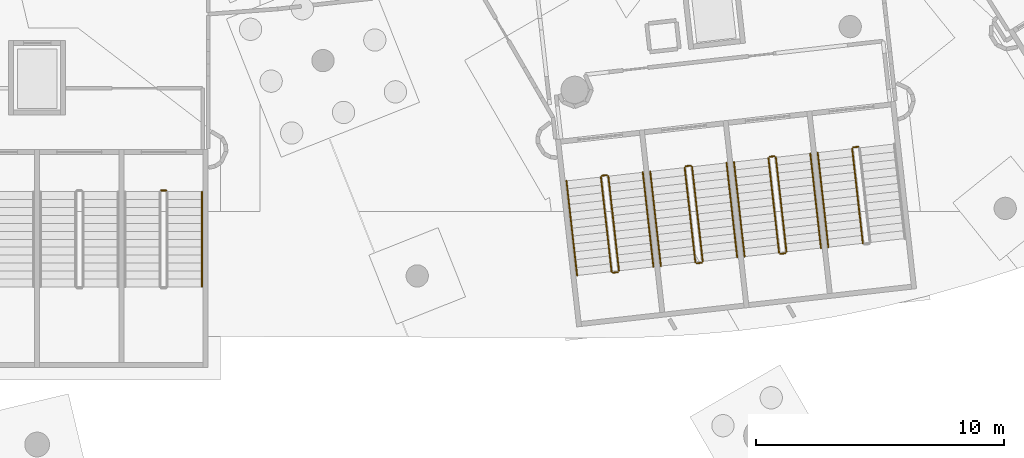
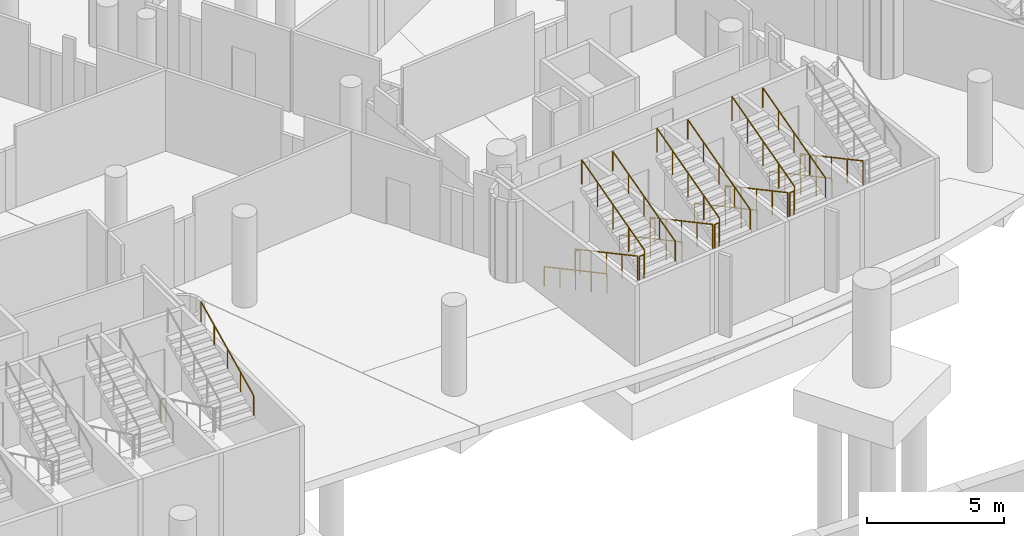
# One storey, part 119 of 142: 23 railings.
"""IFC4 building model written with IfcOpenShell, lengths in metres."""

from ifc_helpers import new_model, si_unit, direction, frame, origin, origin_2d, place, context, subcontext, project, spatial, circle, extrude, material, type_object, element, save


model = new_model("IFC4")

# Units and contexts
model_context = context("Model", 3, precision=1e-05, world=origin(), true_north=direction((0.0, 1.0)))
body_context = subcontext(model_context, "Body", "Model", "MODEL_VIEW")
ifc_project = project(units=[si_unit("LENGTHUNIT", "METRE"), si_unit("AREAUNIT", "SQUARE_METRE"), si_unit("VOLUMEUNIT", "CUBIC_METRE"), si_unit("PLANEANGLEUNIT", "RADIAN"), si_unit("MASSUNIT", "GRAM", prefix="KILO")], contexts=[model_context])

# Site, building, storey
site_placement = place(None, origin())
site = spatial("IfcSite", under=ifc_project, at=site_placement, CompositionType="ELEMENT")
building_placement = place(site_placement, origin())
building = spatial("IfcBuilding", under=site, at=building_placement, Name="Meseta Stadium", CompositionType="ELEMENT")
storey_placement = place(building_placement, frame((0.0, 0.0, -4.0)))
storey = spatial("IfcBuildingStorey", under=building, at=storey_placement, Name="B1", CompositionType="ELEMENT", Elevation=-4.0)

# Railings
ifc_material_1 = material(Name="Steel S355", Category="steel")
railing_type_1 = type_object("IfcRailingType", Name="Stair guard 1100", PredefinedType="GUARDRAIL", material=ifc_material_1)
railing_1_placement = place(storey_placement, frame((28.0, -95.14990234375, 0.0)))
element("IfcRailing", 1, at=railing_1_placement, inside=storey, type_object=railing_type_1, Name="ST100 B1 guard 4", PredefinedType="GUARDRAIL", context=body_context, shape_type="SweptSolid", body=[
    extrude(circle(Radius=0.02392578125, at=origin_2d()), frame((0.0, 0.0, 1.076171875), z_axis=(1.0, 0.0, 0.0), x_axis=(0.0, 1.0, 0.0)), (0.0, 0.0, 1.0), 0.199951171875),
    extrude(circle(Radius=0.02099609375, at=origin_2d()), origin(), (0.0, 0.0, 1.0), 1.052001953125),
    extrude(circle(Radius=0.02099609375, at=origin_2d()), frame((0.199951171875, 0.0, 0.0)), (0.0, 0.0, 1.0), 1.052001953125),
])
railing_2_placement = place(storey_placement, frame((45.742919921875, -94.609375, 0.15380859375)))
element("IfcRailing", 2, at=railing_2_placement, inside=storey, type_object=railing_type_1, Name="ST101 B1 guard 1", PredefinedType="GUARDRAIL", context=body_context, shape_type="SweptSolid", body=[
    extrude(circle(Radius=0.02392578125, at=origin_2d()), frame((0.0, 0.0, 1.076171875), z_axis=(0.100965652934, -0.895568779631, 0.433315702321), x_axis=(0.993704888817, 0.112029433367, 0.0)), (0.0, 0.0, 1.0), 4.260498046875),
    extrude(circle(Radius=0.02099609375, at=origin_2d()), origin(), (0.0, 0.0, 1.0), 1.052001953125),
    extrude(circle(Radius=0.02099609375, at=origin_2d()), frame((0.107421875, -0.953857421875, 0.46142578125)), (0.0, 0.0, 1.0), 1.052001953125),
    extrude(circle(Radius=0.02099609375, at=origin_2d()), frame((0.215087890625, -1.90771484375, 0.923095703125)), (0.0, 0.0, 1.0), 1.052001953125),
    extrude(circle(Radius=0.02099609375, at=origin_2d()), frame((0.32275390625, -2.86181640625, 1.384765625)), (0.0, 0.0, 1.0), 1.052001953125),
    extrude(circle(Radius=0.02099609375, at=origin_2d()), frame((0.43017578125, -3.815673828125, 1.84619140625)), (0.0, 0.0, 1.0), 1.052001953125),
])
railing_3_placement = place(storey_placement, frame((46.228271484375, -98.46923828125, 2.0)))
element("IfcRailing", 3, at=railing_3_placement, inside=storey, type_object=railing_type_1, Name="ST101 B1 guard 2", PredefinedType="GUARDRAIL", context=body_context, shape_type="SweptSolid", body=[
    extrude(circle(Radius=0.02392578125, at=origin_2d()), frame((0.0, 0.0, 1.076171875), z_axis=(0.993673547442, 0.112307083986, 0.0), x_axis=(-0.112307083986, 0.993673547442, 0.0)), (0.0, 0.0, 1.0), 0.199951171875),
    extrude(circle(Radius=0.02099609375, at=origin_2d()), origin(), (0.0, 0.0, 1.0), 1.052001953125),
    extrude(circle(Radius=0.02099609375, at=origin_2d()), frame((0.19873046875, 0.0224609375, 0.0)), (0.0, 0.0, 1.0), 1.052001953125),
])
railing_4_placement = place(storey_placement, frame((46.47119140625, -98.3916015625, 2.15380859375)))
element("IfcRailing", 4, at=railing_4_placement, inside=storey, type_object=railing_type_1, Name="ST101 B1 guard 3", PredefinedType="GUARDRAIL", context=body_context, shape_type="SweptSolid", body=[
    extrude(circle(Radius=0.02392578125, at=origin_2d()), frame((0.0, 0.0, 1.076171875), z_axis=(-0.100903756611, 0.89558530144, 0.433295972456), x_axis=(-0.993712761983, -0.111959576062, 0.0)), (0.0, 0.0, 1.0), 4.2607421875),
    extrude(circle(Radius=0.02099609375, at=origin_2d()), origin(), (0.0, 0.0, 1.0), 1.052001953125),
    extrude(circle(Radius=0.02099609375, at=origin_2d()), frame((-0.107421875, 0.9541015625, 0.46142578125)), (0.0, 0.0, 1.0), 1.052001953125),
    extrude(circle(Radius=0.02099609375, at=origin_2d()), frame((-0.21484375, 1.907958984375, 0.923095703125)), (0.0, 0.0, 1.0), 1.052001953125),
    extrude(circle(Radius=0.02099609375, at=origin_2d()), frame((-0.322509765625, 2.86181640625, 1.384765625)), (0.0, 0.0, 1.0), 1.052001953125),
    extrude(circle(Radius=0.02099609375, at=origin_2d()), frame((-0.429931640625, 3.81591796875, 1.84619140625)), (0.0, 0.0, 1.0), 1.052001953125),
])
railing_5_placement = place(storey_placement, frame((45.787109375, -94.553955078125, 0.0)))
element("IfcRailing", 5, at=railing_5_placement, inside=storey, type_object=railing_type_1, Name="ST101 B1 guard 4", PredefinedType="GUARDRAIL", context=body_context, shape_type="SweptSolid", body=[
    extrude(circle(Radius=0.02392578125, at=origin_2d()), frame((0.0, 0.0, 1.076171875), z_axis=(0.993673547442, 0.112307083986, 0.0), x_axis=(-0.112307083986, 0.993673547442, 0.0)), (0.0, 0.0, 1.0), 0.199951171875),
    extrude(circle(Radius=0.02099609375, at=origin_2d()), origin(), (0.0, 0.0, 1.0), 1.052001953125),
    extrude(circle(Radius=0.02099609375, at=origin_2d()), frame((0.19873046875, 0.0224609375, 0.0)), (0.0, 0.0, 1.0), 1.052001953125),
])
railing_6_placement = place(storey_placement, frame((49.12158203125, -94.228515625, 0.15380859375)))
element("IfcRailing", 6, at=railing_6_placement, inside=storey, type_object=railing_type_1, Name="ST102 B1 guard 1", PredefinedType="GUARDRAIL", context=body_context, shape_type="SweptSolid", body=[
    extrude(circle(Radius=0.02392578125, at=origin_2d()), frame((0.0, 0.0, 1.076171875), z_axis=(0.100903756611, -0.89558530144, 0.433295972456), x_axis=(0.993712761983, 0.111959576062, 0.0)), (0.0, 0.0, 1.0), 4.2607421875),
    extrude(circle(Radius=0.02099609375, at=origin_2d()), origin(), (0.0, 0.0, 1.0), 1.052001953125),
    extrude(circle(Radius=0.02099609375, at=origin_2d()), frame((0.107421875, -0.9541015625, 0.46142578125)), (0.0, 0.0, 1.0), 1.052001953125),
    extrude(circle(Radius=0.02099609375, at=origin_2d()), frame((0.21484375, -1.907958984375, 0.923095703125)), (0.0, 0.0, 1.0), 1.052001953125),
    extrude(circle(Radius=0.02099609375, at=origin_2d()), frame((0.322509765625, -2.86181640625, 1.384765625)), (0.0, 0.0, 1.0), 1.052001953125),
    extrude(circle(Radius=0.02099609375, at=origin_2d()), frame((0.429931640625, -3.81591796875, 1.84619140625)), (0.0, 0.0, 1.0), 1.052001953125),
])
railing_7_placement = place(storey_placement, frame((49.60693359375, -98.088623046875, 2.0)))
element("IfcRailing", 7, at=railing_7_placement, inside=storey, type_object=railing_type_1, Name="ST102 B1 guard 2", PredefinedType="GUARDRAIL", context=body_context, shape_type="SweptSolid", body=[
    extrude(circle(Radius=0.02392578125, at=origin_2d()), frame((0.0, 0.0, 1.076171875), z_axis=(0.993673547442, 0.112307083986, 0.0), x_axis=(-0.112307083986, 0.993673547442, 0.0)), (0.0, 0.0, 1.0), 0.199951171875),
    extrude(circle(Radius=0.02099609375, at=origin_2d()), origin(), (0.0, 0.0, 1.0), 1.052001953125),
    extrude(circle(Radius=0.02099609375, at=origin_2d()), frame((0.19873046875, 0.0224609375, 0.0)), (0.0, 0.0, 1.0), 1.052001953125),
])
railing_8_placement = place(storey_placement, frame((49.849609375, -98.0107421875, 2.15380859375)))
element("IfcRailing", 8, at=railing_8_placement, inside=storey, type_object=railing_type_1, Name="ST102 B1 guard 3", PredefinedType="GUARDRAIL", context=body_context, shape_type="SweptSolid", body=[
    extrude(circle(Radius=0.02392578125, at=origin_2d()), frame((0.0, 0.0, 1.076171875), z_axis=(-0.100908934847, 0.895573959525, 0.433318208582), x_axis=(-0.99371196497, -0.111966649838, 0.0)), (0.0, 0.0, 1.0), 4.260498046875),
    extrude(circle(Radius=0.02099609375, at=origin_2d()), origin(), (0.0, 0.0, 1.0), 1.052001953125),
    extrude(circle(Radius=0.02099609375, at=origin_2d()), frame((-0.107421875, 0.953857421875, 0.46142578125)), (0.0, 0.0, 1.0), 1.052001953125),
    extrude(circle(Radius=0.02099609375, at=origin_2d()), frame((-0.21484375, 1.90771484375, 0.923095703125)), (0.0, 0.0, 1.0), 1.052001953125),
    extrude(circle(Radius=0.02099609375, at=origin_2d()), frame((-0.322509765625, 2.86181640625, 1.384765625)), (0.0, 0.0, 1.0), 1.052001953125),
    extrude(circle(Radius=0.02099609375, at=origin_2d()), frame((-0.429931640625, 3.815673828125, 1.84619140625)), (0.0, 0.0, 1.0), 1.052001953125),
])
railing_9_placement = place(storey_placement, frame((49.165771484375, -94.17333984375, 0.0)))
element("IfcRailing", 9, at=railing_9_placement, inside=storey, type_object=railing_type_1, Name="ST102 B1 guard 4", PredefinedType="GUARDRAIL", context=body_context, shape_type="SweptSolid", body=[
    extrude(circle(Radius=0.02392578125, at=origin_2d()), frame((0.0, 0.0, 1.076171875), z_axis=(0.993673547442, 0.112307083986, 0.0), x_axis=(-0.112307083986, 0.993673547442, 0.0)), (0.0, 0.0, 1.0), 0.199951171875),
    extrude(circle(Radius=0.02099609375, at=origin_2d()), origin(), (0.0, 0.0, 1.0), 1.052001953125),
    extrude(circle(Radius=0.02099609375, at=origin_2d()), frame((0.19873046875, 0.0224609375, 0.0)), (0.0, 0.0, 1.0), 1.052001953125),
])
railing_10_placement = place(storey_placement, frame((52.500244140625, -93.847900390625, 0.15380859375)))
element("IfcRailing", 10, at=railing_10_placement, inside=storey, type_object=railing_type_1, Name="ST103 B1 guard 1", PredefinedType="GUARDRAIL", context=body_context, shape_type="SweptSolid", body=[
    extrude(circle(Radius=0.02392578125, at=origin_2d()), frame((0.0, 0.0, 1.076171875), z_axis=(0.100903756611, -0.89558530144, 0.433295972456), x_axis=(0.993712761983, 0.111959576062, 0.0)), (0.0, 0.0, 1.0), 4.2607421875),
    extrude(circle(Radius=0.02099609375, at=origin_2d()), origin(), (0.0, 0.0, 1.0), 1.052001953125),
    extrude(circle(Radius=0.02099609375, at=origin_2d()), frame((0.107421875, -0.9541015625, 0.46142578125)), (0.0, 0.0, 1.0), 1.052001953125),
    extrude(circle(Radius=0.02099609375, at=origin_2d()), frame((0.21484375, -1.907958984375, 0.923095703125)), (0.0, 0.0, 1.0), 1.052001953125),
    extrude(circle(Radius=0.02099609375, at=origin_2d()), frame((0.322509765625, -2.86181640625, 1.384765625)), (0.0, 0.0, 1.0), 1.052001953125),
    extrude(circle(Radius=0.02099609375, at=origin_2d()), frame((0.429931640625, -3.81591796875, 1.84619140625)), (0.0, 0.0, 1.0), 1.052001953125),
])
railing_11_placement = place(storey_placement, frame((52.985595703125, -97.707763671875, 2.0)))
element("IfcRailing", 11, at=railing_11_placement, inside=storey, type_object=railing_type_1, Name="ST103 B1 guard 2", PredefinedType="GUARDRAIL", context=body_context, shape_type="SweptSolid", body=[
    extrude(circle(Radius=0.02392578125, at=origin_2d()), frame((0.0, 0.0, 1.076171875), z_axis=(0.993809063983, 0.111101504696, 0.0), x_axis=(-0.111101504696, 0.993809063983, 0.0)), (0.0, 0.0, 1.0), 0.199951171875),
    extrude(circle(Radius=0.02099609375, at=origin_2d()), origin(), (0.0, 0.0, 1.0), 1.052001953125),
    extrude(circle(Radius=0.02099609375, at=origin_2d()), frame((0.19873046875, 0.022216796875, 0.0)), (0.0, 0.0, 1.0), 1.052001953125),
])
railing_12_placement = place(storey_placement, frame((53.228271484375, -97.630126953125, 2.15380859375)))
element("IfcRailing", 12, at=railing_12_placement, inside=storey, type_object=railing_type_1, Name="ST103 B1 guard 3", PredefinedType="GUARDRAIL", context=body_context, shape_type="SweptSolid", body=[
    extrude(circle(Radius=0.02392578125, at=origin_2d()), frame((0.0, 0.0, 1.076171875), z_axis=(-0.100903756611, 0.89558530144, 0.433295972456), x_axis=(-0.993712761983, -0.111959576062, 0.0)), (0.0, 0.0, 1.0), 4.2607421875),
    extrude(circle(Radius=0.02099609375, at=origin_2d()), origin(), (0.0, 0.0, 1.0), 1.052001953125),
    extrude(circle(Radius=0.02099609375, at=origin_2d()), frame((-0.107421875, 0.9541015625, 0.46142578125)), (0.0, 0.0, 1.0), 1.052001953125),
    extrude(circle(Radius=0.02099609375, at=origin_2d()), frame((-0.21484375, 1.907958984375, 0.923095703125)), (0.0, 0.0, 1.0), 1.052001953125),
    extrude(circle(Radius=0.02099609375, at=origin_2d()), frame((-0.322509765625, 2.86181640625, 1.384765625)), (0.0, 0.0, 1.0), 1.052001953125),
    extrude(circle(Radius=0.02099609375, at=origin_2d()), frame((-0.429931640625, 3.81591796875, 1.84619140625)), (0.0, 0.0, 1.0), 1.052001953125),
])
railing_13_placement = place(storey_placement, frame((52.54443359375, -93.792724609375, 0.0)))
element("IfcRailing", 13, at=railing_13_placement, inside=storey, type_object=railing_type_1, Name="ST103 B1 guard 4", PredefinedType="GUARDRAIL", context=body_context, shape_type="SweptSolid", body=[
    extrude(circle(Radius=0.02392578125, at=origin_2d()), frame((0.0, 0.0, 1.076171875), z_axis=(0.993673547442, 0.112307083986, 0.0), x_axis=(-0.112307083986, 0.993673547442, 0.0)), (0.0, 0.0, 1.0), 0.199951171875),
    extrude(circle(Radius=0.02099609375, at=origin_2d()), origin(), (0.0, 0.0, 1.0), 1.052001953125),
    extrude(circle(Radius=0.02099609375, at=origin_2d()), frame((0.19873046875, 0.0224609375, 0.0)), (0.0, 0.0, 1.0), 1.052001953125),
])
railing_14_placement = place(storey_placement, frame((55.87890625, -93.46728515625, 0.15380859375)))
element("IfcRailing", 14, at=railing_14_placement, inside=storey, type_object=railing_type_1, Name="ST104 B1 guard 1", PredefinedType="GUARDRAIL", context=body_context, shape_type="SweptSolid", body=[
    extrude(circle(Radius=0.02392578125, at=origin_2d()), frame((0.0, 0.0, 1.076171875), z_axis=(0.100903756611, -0.89558530144, 0.433295972456), x_axis=(0.993712761983, 0.111959576062, 0.0)), (0.0, 0.0, 1.0), 4.2607421875),
    extrude(circle(Radius=0.02099609375, at=origin_2d()), origin(), (0.0, 0.0, 1.0), 1.052001953125),
    extrude(circle(Radius=0.02099609375, at=origin_2d()), frame((0.107421875, -0.9541015625, 0.46142578125)), (0.0, 0.0, 1.0), 1.052001953125),
    extrude(circle(Radius=0.02099609375, at=origin_2d()), frame((0.21484375, -1.907958984375, 0.923095703125)), (0.0, 0.0, 1.0), 1.052001953125),
    extrude(circle(Radius=0.02099609375, at=origin_2d()), frame((0.322509765625, -2.86181640625, 1.384765625)), (0.0, 0.0, 1.0), 1.052001953125),
    extrude(circle(Radius=0.02099609375, at=origin_2d()), frame((0.429931640625, -3.81591796875, 1.84619140625)), (0.0, 0.0, 1.0), 1.052001953125),
])
railing_15_placement = place(storey_placement, frame((55.923095703125, -93.411865234375, 0.0)))
element("IfcRailing", 15, at=railing_15_placement, inside=storey, type_object=railing_type_1, Name="ST104 B1 guard 4", PredefinedType="GUARDRAIL", context=body_context, shape_type="SweptSolid", body=[
    extrude(circle(Radius=0.02392578125, at=origin_2d()), frame((0.0, 0.0, 1.076171875), z_axis=(0.993809063983, 0.111101504696, 0.0), x_axis=(-0.111101504696, 0.993809063983, 0.0)), (0.0, 0.0, 1.0), 0.199951171875),
    extrude(circle(Radius=0.02099609375, at=origin_2d()), origin(), (0.0, 0.0, 1.0), 1.052001953125),
    extrude(circle(Radius=0.02099609375, at=origin_2d()), frame((0.19873046875, 0.022216796875, 0.0)), (0.0, 0.0, 1.0), 1.052001953125),
])
ifc_material_2 = material(Name="Steel S355", Category="steel")
railing_type_2 = type_object("IfcRailingType", Name="Stair handrail 900", PredefinedType="HANDRAIL", material=ifc_material_2)
railing_16_placement = place(storey_placement, frame((29.64990234375, -99.0400390625, 2.15380859375)))
element("IfcRailing", 16, at=railing_16_placement, inside=storey, type_object=railing_type_2, Name="ST100 B1 handrail 2", PredefinedType="HANDRAIL", context=body_context, shape_type="SweptSolid", body=[
    extrude(circle(Radius=0.02392578125, at=origin_2d()), frame((0.0, 0.0, 0.8759765625), z_axis=(0.0, 0.901252854825, 0.433293539843), x_axis=(-1.0, 0.0, 0.0)), (0.0, 0.0, 1.0), 4.2607421875),
    extrude(circle(Radius=0.02099609375, at=origin_2d()), origin(), (0.0, 0.0, 1.0), 0.851806640625),
    extrude(circle(Radius=0.02099609375, at=origin_2d()), frame((0.0, 0.9599609375, 0.46142578125)), (0.0, 0.0, 1.0), 0.851806640625),
    extrude(circle(Radius=0.02099609375, at=origin_2d()), frame((0.0, 1.919921875, 0.923095703125)), (0.0, 0.0, 1.0), 0.851806640625),
    extrude(circle(Radius=0.02099609375, at=origin_2d()), frame((0.0, 2.880126953125, 1.384765625)), (0.0, 0.0, 1.0), 0.851806640625),
    extrude(circle(Radius=0.02099609375, at=origin_2d()), frame((0.0, 3.840087890625, 1.84619140625)), (0.0, 0.0, 1.0), 0.851806640625),
])
railing_17_placement = place(storey_placement, frame((44.351806640625, -94.76611328125, 0.15380859375)))
element("IfcRailing", 17, at=railing_17_placement, inside=storey, type_object=railing_type_2, Name="ST101 B1 handrail 1", PredefinedType="HANDRAIL", context=body_context, shape_type="SweptSolid", body=[
    extrude(circle(Radius=0.02392578125, at=origin_2d()), frame((0.0, 0.0, 0.8759765625), z_axis=(0.100908934847, -0.895573959525, 0.433318208582), x_axis=(0.99371196497, 0.111966649838, 0.0)), (0.0, 0.0, 1.0), 4.260498046875),
    extrude(circle(Radius=0.02099609375, at=origin_2d()), origin(), (0.0, 0.0, 1.0), 0.851806640625),
    extrude(circle(Radius=0.02099609375, at=origin_2d()), frame((0.107421875, -0.953857421875, 0.46142578125)), (0.0, 0.0, 1.0), 0.851806640625),
    extrude(circle(Radius=0.02099609375, at=origin_2d()), frame((0.21484375, -1.90771484375, 0.923095703125)), (0.0, 0.0, 1.0), 0.851806640625),
    extrude(circle(Radius=0.02099609375, at=origin_2d()), frame((0.322509765625, -2.86181640625, 1.384765625)), (0.0, 0.0, 1.0), 0.851806640625),
    extrude(circle(Radius=0.02099609375, at=origin_2d()), frame((0.429931640625, -3.815673828125, 1.84619140625)), (0.0, 0.0, 1.0), 0.851806640625),
])
railing_18_placement = place(storey_placement, frame((47.8623046875, -98.23486328125, 2.15380859375)))
element("IfcRailing", 18, at=railing_18_placement, inside=storey, type_object=railing_type_2, Name="ST101 B1 handrail 2", PredefinedType="HANDRAIL", context=body_context, shape_type="SweptSolid", body=[
    extrude(circle(Radius=0.02392578125, at=origin_2d()), frame((0.0, 0.0, 0.8759765625), z_axis=(-0.100903756611, 0.89558530144, 0.433295972456), x_axis=(-0.993712761983, -0.111959576062, 0.0)), (0.0, 0.0, 1.0), 4.2607421875),
    extrude(circle(Radius=0.02099609375, at=origin_2d()), origin(), (0.0, 0.0, 1.0), 0.851806640625),
    extrude(circle(Radius=0.02099609375, at=origin_2d()), frame((-0.107421875, 0.9541015625, 0.46142578125)), (0.0, 0.0, 1.0), 0.851806640625),
    extrude(circle(Radius=0.02099609375, at=origin_2d()), frame((-0.21484375, 1.907958984375, 0.923095703125)), (0.0, 0.0, 1.0), 0.851806640625),
    extrude(circle(Radius=0.02099609375, at=origin_2d()), frame((-0.322509765625, 2.86181640625, 1.384765625)), (0.0, 0.0, 1.0), 0.851806640625),
    extrude(circle(Radius=0.02099609375, at=origin_2d()), frame((-0.429931640625, 3.81591796875, 1.84619140625)), (0.0, 0.0, 1.0), 0.851806640625),
])
railing_19_placement = place(storey_placement, frame((47.73046875, -94.38525390625, 0.15380859375)))
element("IfcRailing", 19, at=railing_19_placement, inside=storey, type_object=railing_type_2, Name="ST102 B1 handrail 1", PredefinedType="HANDRAIL", context=body_context, shape_type="SweptSolid", body=[
    extrude(circle(Radius=0.02392578125, at=origin_2d()), frame((0.0, 0.0, 0.8759765625), z_axis=(0.100903756611, -0.89558530144, 0.433295972456), x_axis=(0.993712761983, 0.111959576062, 0.0)), (0.0, 0.0, 1.0), 4.2607421875),
    extrude(circle(Radius=0.02099609375, at=origin_2d()), origin(), (0.0, 0.0, 1.0), 0.851806640625),
    extrude(circle(Radius=0.02099609375, at=origin_2d()), frame((0.107421875, -0.9541015625, 0.46142578125)), (0.0, 0.0, 1.0), 0.851806640625),
    extrude(circle(Radius=0.02099609375, at=origin_2d()), frame((0.21484375, -1.907958984375, 0.923095703125)), (0.0, 0.0, 1.0), 0.851806640625),
    extrude(circle(Radius=0.02099609375, at=origin_2d()), frame((0.322509765625, -2.86181640625, 1.384765625)), (0.0, 0.0, 1.0), 0.851806640625),
    extrude(circle(Radius=0.02099609375, at=origin_2d()), frame((0.429931640625, -3.81591796875, 1.84619140625)), (0.0, 0.0, 1.0), 0.851806640625),
])
railing_20_placement = place(storey_placement, frame((51.240966796875, -97.85400390625, 2.15380859375)))
element("IfcRailing", 20, at=railing_20_placement, inside=storey, type_object=railing_type_2, Name="ST102 B1 handrail 2", PredefinedType="HANDRAIL", context=body_context, shape_type="SweptSolid", body=[
    extrude(circle(Radius=0.02392578125, at=origin_2d()), frame((0.0, 0.0, 0.8759765625), z_axis=(-0.100908934847, 0.895573959525, 0.433318208582), x_axis=(-0.99371196497, -0.111966649838, 0.0)), (0.0, 0.0, 1.0), 4.260498046875),
    extrude(circle(Radius=0.02099609375, at=origin_2d()), origin(), (0.0, 0.0, 1.0), 0.851806640625),
    extrude(circle(Radius=0.02099609375, at=origin_2d()), frame((-0.107421875, 0.953857421875, 0.46142578125)), (0.0, 0.0, 1.0), 0.851806640625),
    extrude(circle(Radius=0.02099609375, at=origin_2d()), frame((-0.21484375, 1.90771484375, 0.923095703125)), (0.0, 0.0, 1.0), 0.851806640625),
    extrude(circle(Radius=0.02099609375, at=origin_2d()), frame((-0.322509765625, 2.86181640625, 1.384765625)), (0.0, 0.0, 1.0), 0.851806640625),
    extrude(circle(Radius=0.02099609375, at=origin_2d()), frame((-0.429931640625, 3.815673828125, 1.84619140625)), (0.0, 0.0, 1.0), 0.851806640625),
])
railing_21_placement = place(storey_placement, frame((51.109130859375, -94.004638671875, 0.15380859375)))
element("IfcRailing", 21, at=railing_21_placement, inside=storey, type_object=railing_type_2, Name="ST103 B1 handrail 1", PredefinedType="HANDRAIL", context=body_context, shape_type="SweptSolid", body=[
    extrude(circle(Radius=0.02392578125, at=origin_2d()), frame((0.0, 0.0, 0.8759765625), z_axis=(0.100903756611, -0.89558530144, 0.433295972456), x_axis=(0.993712761983, 0.111959576062, 0.0)), (0.0, 0.0, 1.0), 4.2607421875),
    extrude(circle(Radius=0.02099609375, at=origin_2d()), origin(), (0.0, 0.0, 1.0), 0.851806640625),
    extrude(circle(Radius=0.02099609375, at=origin_2d()), frame((0.107421875, -0.9541015625, 0.46142578125)), (0.0, 0.0, 1.0), 0.851806640625),
    extrude(circle(Radius=0.02099609375, at=origin_2d()), frame((0.21484375, -1.907958984375, 0.923095703125)), (0.0, 0.0, 1.0), 0.851806640625),
    extrude(circle(Radius=0.02099609375, at=origin_2d()), frame((0.322509765625, -2.86181640625, 1.384765625)), (0.0, 0.0, 1.0), 0.851806640625),
    extrude(circle(Radius=0.02099609375, at=origin_2d()), frame((0.429931640625, -3.81591796875, 1.84619140625)), (0.0, 0.0, 1.0), 0.851806640625),
])
railing_22_placement = place(storey_placement, frame((54.61962890625, -97.473388671875, 2.15380859375)))
element("IfcRailing", 22, at=railing_22_placement, inside=storey, type_object=railing_type_2, Name="ST103 B1 handrail 2", PredefinedType="HANDRAIL", context=body_context, shape_type="SweptSolid", body=[
    extrude(circle(Radius=0.02392578125, at=origin_2d()), frame((0.0, 0.0, 0.8759765625), z_axis=(-0.100903756611, 0.89558530144, 0.433295972456), x_axis=(-0.993712761983, -0.111959576062, 0.0)), (0.0, 0.0, 1.0), 4.2607421875),
    extrude(circle(Radius=0.02099609375, at=origin_2d()), origin(), (0.0, 0.0, 1.0), 0.851806640625),
    extrude(circle(Radius=0.02099609375, at=origin_2d()), frame((-0.107421875, 0.9541015625, 0.46142578125)), (0.0, 0.0, 1.0), 0.851806640625),
    extrude(circle(Radius=0.02099609375, at=origin_2d()), frame((-0.21484375, 1.907958984375, 0.923095703125)), (0.0, 0.0, 1.0), 0.851806640625),
    extrude(circle(Radius=0.02099609375, at=origin_2d()), frame((-0.322509765625, 2.86181640625, 1.384765625)), (0.0, 0.0, 1.0), 0.851806640625),
    extrude(circle(Radius=0.02099609375, at=origin_2d()), frame((-0.429931640625, 3.81591796875, 1.84619140625)), (0.0, 0.0, 1.0), 0.851806640625),
])
railing_23_placement = place(storey_placement, frame((54.48779296875, -93.6240234375, 0.15380859375)))
element("IfcRailing", 23, at=railing_23_placement, inside=storey, type_object=railing_type_2, Name="ST104 B1 handrail 1", PredefinedType="HANDRAIL", context=body_context, shape_type="SweptSolid", body=[
    extrude(circle(Radius=0.02392578125, at=origin_2d()), frame((0.0, 0.0, 0.8759765625), z_axis=(0.100903756611, -0.89558530144, 0.433295972456), x_axis=(0.993712761983, 0.111959576062, 0.0)), (0.0, 0.0, 1.0), 4.2607421875),
    extrude(circle(Radius=0.02099609375, at=origin_2d()), origin(), (0.0, 0.0, 1.0), 0.851806640625),
    extrude(circle(Radius=0.02099609375, at=origin_2d()), frame((0.107421875, -0.9541015625, 0.46142578125)), (0.0, 0.0, 1.0), 0.851806640625),
    extrude(circle(Radius=0.02099609375, at=origin_2d()), frame((0.21484375, -1.907958984375, 0.923095703125)), (0.0, 0.0, 1.0), 0.851806640625),
    extrude(circle(Radius=0.02099609375, at=origin_2d()), frame((0.322509765625, -2.86181640625, 1.384765625)), (0.0, 0.0, 1.0), 0.851806640625),
    extrude(circle(Radius=0.02099609375, at=origin_2d()), frame((0.429931640625, -3.81591796875, 1.84619140625)), (0.0, 0.0, 1.0), 0.851806640625),
])

save(model, "model.ifc")
